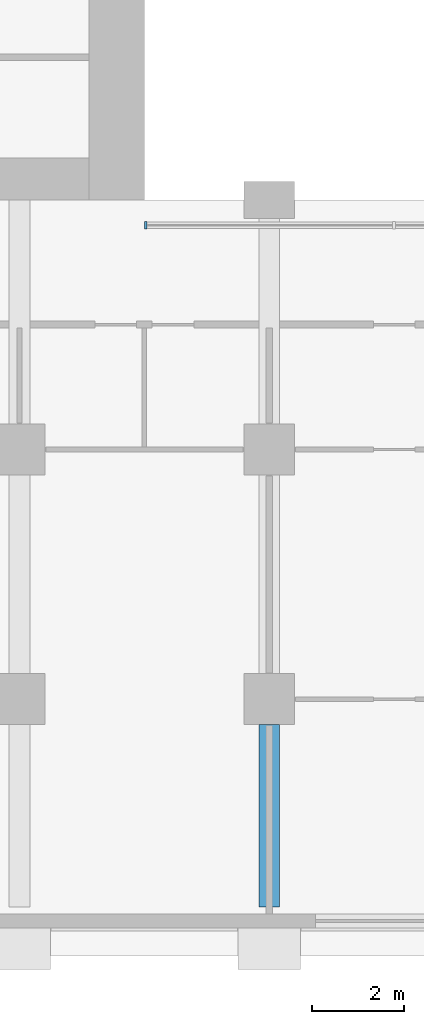
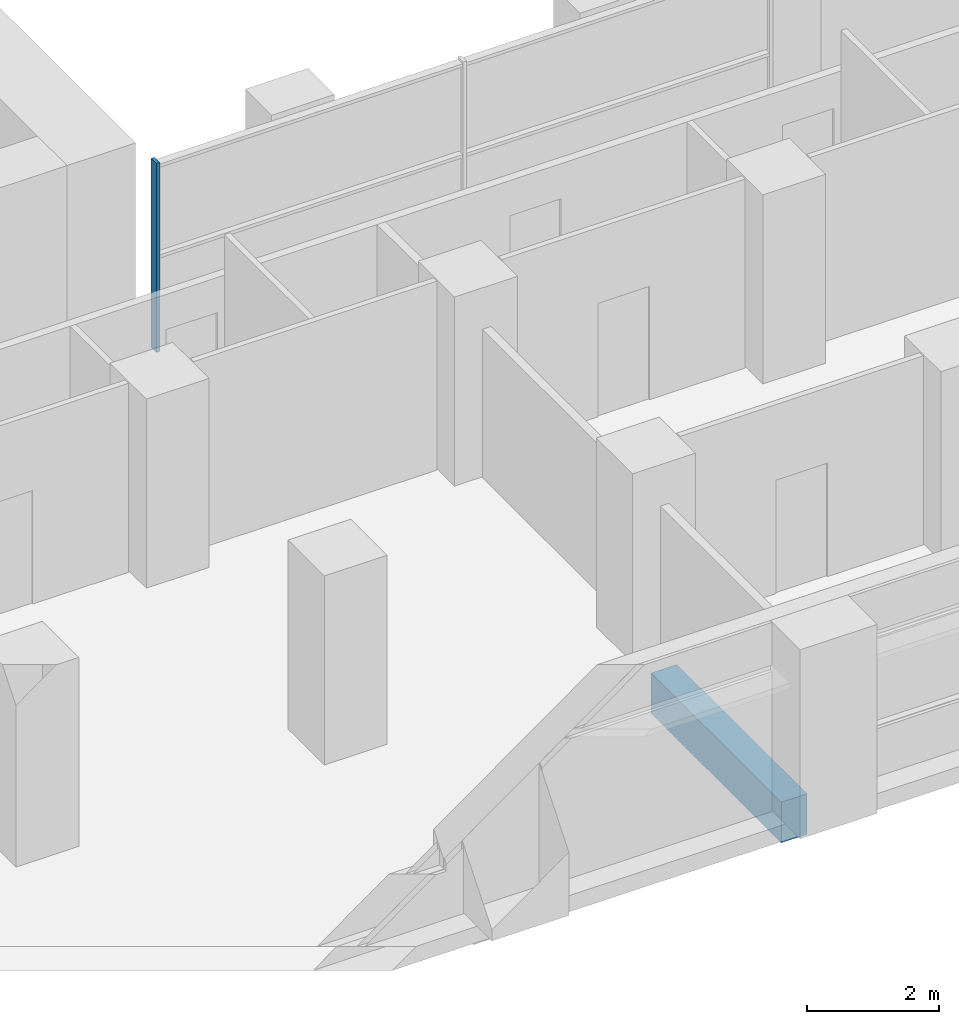
# One storey, part 2 of 13: 1 beam, 1 member, 1 element without a shape of its own.
"""IFC4 building model written with IfcOpenShell, lengths in metres."""

from ifc_helpers import new_model, si_unit, direction, frame, origin, origin_2d, place, context, subcontext, project, spatial, rectangle, extrude, material, material_profile, profile_set, type_object, element, aggregate, save


model = new_model("IFC4")

# Units and contexts
model_context = context("Model", 3, precision=1e-05, world=origin(), true_north=direction((0.0, 1.0)))
body_context = subcontext(model_context, "Body", "Model", "MODEL_VIEW")
ifc_project = project(units=[si_unit("LENGTHUNIT", "METRE"), si_unit("AREAUNIT", "SQUARE_METRE"), si_unit("VOLUMEUNIT", "CUBIC_METRE"), si_unit("PLANEANGLEUNIT", "RADIAN"), si_unit("MASSUNIT", "GRAM", prefix="KILO")], contexts=[model_context])

# Site, building, storey
site_placement = place(None, origin())
site = spatial("IfcSite", under=ifc_project, at=site_placement, CompositionType="ELEMENT")
building_placement = place(site_placement, origin())
building = spatial("IfcBuilding", under=site, at=building_placement, Name="Tabaq Tower and Sports Hall", CompositionType="ELEMENT")
storey_placement = place(building_placement, frame((0.0, 0.0, 41.199951171875)))
storey = spatial("IfcBuildingStorey", under=building, at=storey_placement, Name="L08", CompositionType="ELEMENT", Elevation=41.199951171875)

# Curtain wall, member
ifc_material_1 = material(Name="Aluminium alloy 6063-T6 framed glazing", Category="aluminium")
curtain_wall_type = type_object("IfcCurtainWallType", Name="CW1 curtain wall", PredefinedType="USERDEFINED", material=ifc_material_1)
curtain_wall_placement = place(storey_placement, origin())
curtain_wall = element("IfcCurtainWall", 1, at=curtain_wall_placement, inside=storey, type_object=curtain_wall_type, Name="Atrium glazing L08 S", ObjectType="ATRIUM ENCLOSURE", PredefinedType="USERDEFINED")
ifc_material_2 = material(Name="Aluminium alloy 6063-T6", Category="aluminium")
ifc_material_profile_1 = material_profile(ifc_material_2, rectangle(XDim=0.159912109375, YDim=0.06005859375, at=origin_2d()), Name="MULLION 160x60")
ifc_profile_set_1 = profile_set([ifc_material_profile_1], Name="Aluminium alloy 6063-T6")
member_type = type_object("IfcMemberType", Name="CW1 mullion 160x60", PredefinedType="MULLION", material=ifc_profile_set_1)
member_placement = place(storey_placement, frame((18.929931640625, 15.64990234375, 0.0), z_axis=(0.0, 0.0, 1.0), x_axis=(0.0, 1.0, 0.0)))
member = element("IfcMember", 2, at=member_placement, type_object=member_type, Name="CW1 mullion 1", PredefinedType="MULLION", context=body_context, shape_type="SweptSolid", body=[
    extrude(rectangle(XDim=0.159912109375, YDim=0.06005859375, at=origin_2d()), origin(), (0.0, 0.0, 1.0), 3.5),
])
aggregate(curtain_wall, [member])

# Beam
ifc_material_3 = material(Name="Concrete C40/50", Category="concrete")
ifc_material_profile_2 = material_profile(ifc_material_3, rectangle(XDim=0.449951171875, YDim=0.75, at=origin_2d()), Name="CB 450x750")
ifc_profile_set_2 = profile_set([ifc_material_profile_2], Name="Concrete C40/50")
beam_type = type_object("IfcBeamType", Name="PT CANTILEVER BEAM CB 450x750 C40/50", PredefinedType="BEAM", material=ifc_profile_set_2)
beam_placement = place(storey_placement, frame((21.60009765625, 0.89990234375, -0.675048828125), z_axis=(0.0, 1.0, 0.0), x_axis=(-1.0, 0.0, 0.0)))
element("IfcBeam", 3, at=beam_placement, inside=storey, type_object=beam_type, Name="Cantilever Beam L08 S4 span 1", PredefinedType="BEAM", context=body_context, shape_type="SweptSolid", body=[
    extrude(rectangle(XDim=0.449951171875, YDim=0.75, at=origin_2d()), origin(), (0.0, 0.0, 1.0), 3.9501953125),
])

save(model, "model.ifc")
